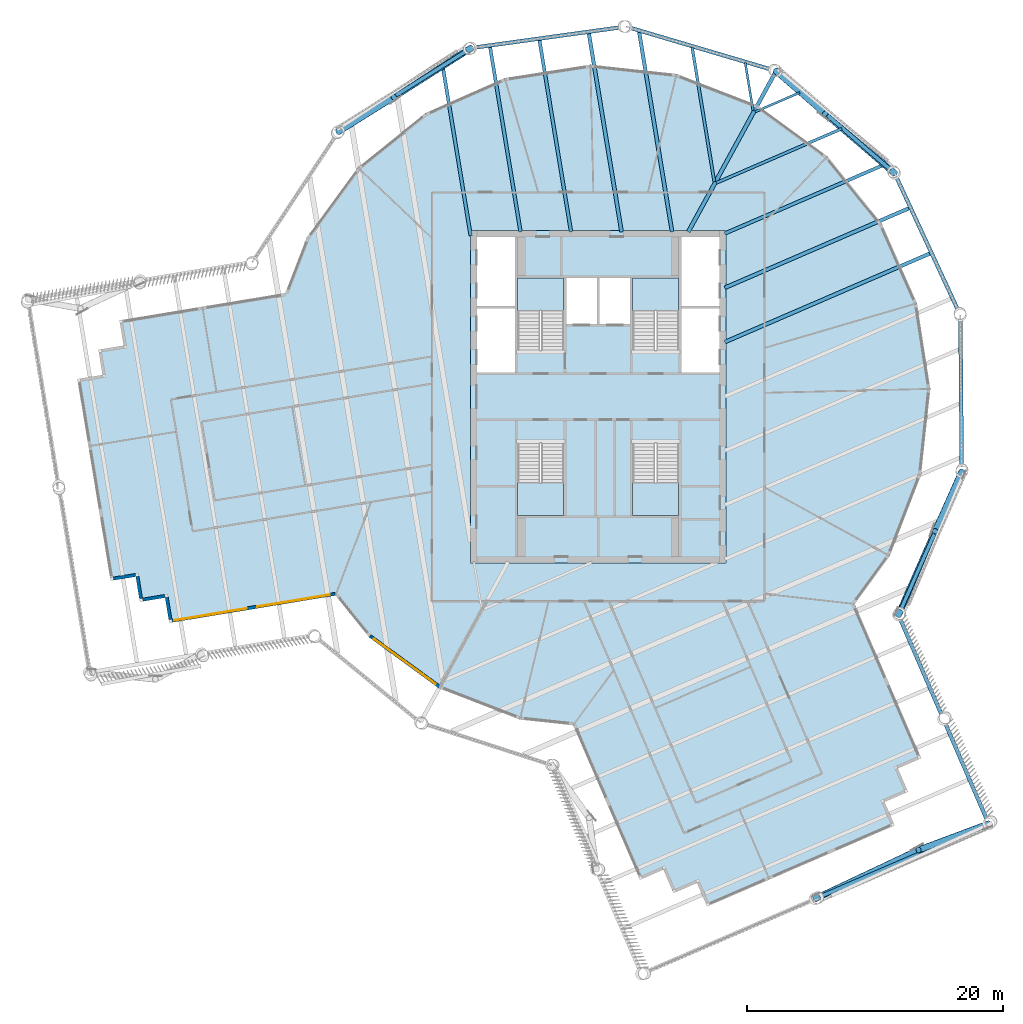
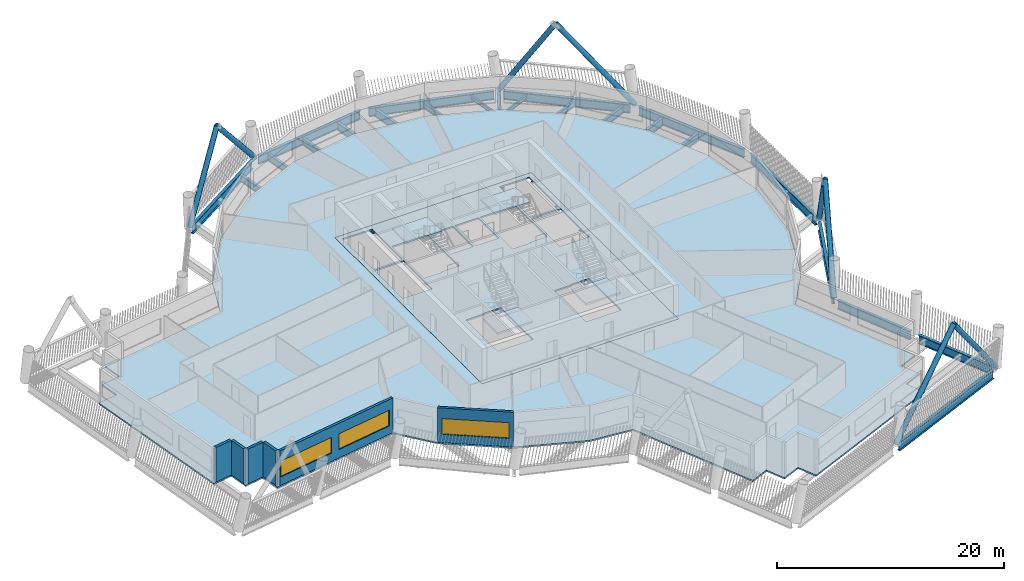
# One storey, part 2 of 23: 23 beams, 8 members, 6 slabs, 6 walls, 3 windows, 3 openings, 4 elements without a shape of their own.
"""IFC4 building model written with IfcOpenShell, lengths in metres."""

from ifc_helpers import new_model, si_unit, direction, frame, frame_2d, origin, origin_2d, place, context, subcontext, project, spatial, polyline, rectangle, hollow_circle, i_section, outline, extrude, material, layer, layer_set, material_profile, profile_set, type_object, element, fill, aggregate, save


model = new_model("IFC4")

# Units and contexts
model_context = context("Model", 3, precision=1e-05, world=origin(), true_north=direction((0.0, 1.0)))
body_context = subcontext(model_context, "Body", "Model", "MODEL_VIEW")
ifc_project = project(units=[si_unit("LENGTHUNIT", "METRE"), si_unit("AREAUNIT", "SQUARE_METRE"), si_unit("VOLUMEUNIT", "CUBIC_METRE"), si_unit("PLANEANGLEUNIT", "RADIAN"), si_unit("MASSUNIT", "GRAM", prefix="KILO")], contexts=[model_context])

# Site, building, storey
site_placement = place(None, origin())
site = spatial("IfcSite", under=ifc_project, at=site_placement, CompositionType="ELEMENT")
building_placement = place(site_placement, origin())
building = spatial("IfcBuilding", under=site, at=building_placement, Name="Tarsis Ring Headquarters", CompositionType="ELEMENT")
storey_placement = place(building_placement, frame((0.0, 0.0, 323.60009765625)))
storey = spatial("IfcBuildingStorey", under=building, at=storey_placement, Name="L76", CompositionType="ELEMENT", Elevation=323.60009765625)

# Beams
ifc_material_1 = material(Name="Structural steel S355", Category="steel")
ifc_material_profile_1 = material_profile(ifc_material_1, i_section(OverallWidth=0.177734375, OverallDepth=0.406494140625, WebThickness=0.0078125, FlangeThickness=0.0126953125, at=origin_2d()), Name="W16x40")
ifc_profile_set_1 = profile_set([ifc_material_profile_1], Name="Structural steel S355")
beam_type_1 = type_object("IfcBeamType", Name="FB Floor beam W16x40", PredefinedType="JOIST", material=ifc_profile_set_1)
beam_1_placement = place(storey_placement, frame((12.2841796875, 22.298583984375, -0.36328125), z_axis=(0.918026260496, 0.396519589731, 0.0), x_axis=(-0.396519589731, 0.918026260496, 0.0)))
element("IfcBeam", 1, at=beam_1_placement, inside=storey, type_object=beam_type_1, Name="Floor beam FB1", PredefinedType="JOIST", context=body_context, shape_type="SweptSolid", body=[
    extrude(i_section(OverallWidth=0.177734375, OverallDepth=0.406494140625, WebThickness=0.0078125, FlangeThickness=0.0126953125, at=origin_2d()), origin(), (0.0, 0.0, 1.0), 3.80517578125),
])
beam_2_placement = place(storey_placement, frame((11.50146484375, 26.142578125, -0.36328125), z_axis=(0.162640450978, -0.986685402601, 0.0), x_axis=(0.986685402601, 0.162640450978, 0.0)))
element("IfcBeam", 2, at=beam_2_placement, inside=storey, type_object=beam_type_1, Name="Floor beam FB1", PredefinedType="JOIST", context=body_context, shape_type="SweptSolid", body=[
    extrude(i_section(OverallWidth=0.177734375, OverallDepth=0.406494140625, WebThickness=0.0078125, FlangeThickness=0.0126953125, at=origin_2d()), origin(), (0.0, 0.0, 1.0), 3.805419921875),
])
ifc_material_profile_2 = material_profile(ifc_material_1, i_section(OverallWidth=0.228271484375, OverallDepth=0.607177734375, WebThickness=0.01123046875, FlangeThickness=0.017333984375, at=origin_2d()), Name="W24x76")
ifc_profile_set_2 = profile_set([ifc_material_profile_2], Name="Structural steel S355")
beam_type_2 = type_object("IfcBeamType", Name="FB Floor beam W24x76", PredefinedType="JOIST", material=ifc_profile_set_2)
beam_3_placement = place(storey_placement, frame((9.248046875, 16.739013671875, -0.463623046875), z_axis=(0.918030408794, 0.39650998541, 0.0), x_axis=(-0.39650998541, 0.918030408794, 0.0)))
element("IfcBeam", 3, at=beam_3_placement, inside=storey, type_object=beam_type_2, Name="Floor beam FB4", PredefinedType="JOIST", context=body_context, shape_type="SweptSolid", body=[
    extrude(i_section(OverallWidth=0.228271484375, OverallDepth=0.607177734375, WebThickness=0.01123046875, FlangeThickness=0.017333984375, at=origin_2d()), origin(), (0.0, 0.0, 1.0), 10.6845703125),
])
beam_4_placement = place(storey_placement, frame((7.34619140625, 27.370849609375, -0.463623046875), z_axis=(0.162642406586, -0.986685080246, 0.0), x_axis=(0.986685080246, 0.162642406586, 0.0)))
element("IfcBeam", 4, at=beam_4_placement, inside=storey, type_object=beam_type_2, Name="Floor beam FB4", PredefinedType="JOIST", context=body_context, shape_type="SweptSolid", body=[
    extrude(i_section(OverallWidth=0.228271484375, OverallDepth=0.607177734375, WebThickness=0.01123046875, FlangeThickness=0.017333984375, at=origin_2d()), origin(), (0.0, 0.0, 1.0), 10.684814453125),
])
ifc_material_profile_3 = material_profile(ifc_material_1, i_section(OverallWidth=0.2666015625, OverallDepth=0.7568359375, WebThickness=0.013916015625, FlangeThickness=0.019287109375, at=origin_2d()), Name="W30x108")
ifc_profile_set_3 = profile_set([ifc_material_profile_3], Name="Structural steel S355")
beam_type_3 = type_object("IfcBeamType", Name="FB Floor beam W30x108", PredefinedType="JOIST", material=ifc_profile_set_3)
beam_5_placement = place(storey_placement, frame((9.908203125, 12.77587890625, -0.53857421875), z_axis=(0.918027592885, 0.396516504955, 0.0), x_axis=(-0.396516504955, 0.918027592885, 0.0)))
element("IfcBeam", 5, at=beam_5_placement, inside=storey, type_object=beam_type_3, Name="Floor beam FB6", PredefinedType="JOIST", context=body_context, shape_type="SweptSolid", body=[
    extrude(i_section(OverallWidth=0.2666015625, OverallDepth=0.7568359375, WebThickness=0.013916015625, FlangeThickness=0.019287109375, at=origin_2d()), origin(), (0.0, 0.0, 1.0), 13.53759765625),
])
beam_6_placement = place(storey_placement, frame((-4.61083984375, 27.97265625, -0.53857421875), z_axis=(0.162646606802, -0.986684387885, 0.0), x_axis=(0.986684387885, 0.162646606802, 0.0)))
element("IfcBeam", 6, at=beam_6_placement, inside=storey, type_object=beam_type_3, Name="Floor beam FB6", PredefinedType="JOIST", context=body_context, shape_type="SweptSolid", body=[
    extrude(i_section(OverallWidth=0.2666015625, OverallDepth=0.7568359375, WebThickness=0.013916015625, FlangeThickness=0.019287109375, at=origin_2d()), origin(), (0.0, 0.0, 1.0), 15.274658203125),
])
beam_7_placement = place(storey_placement, frame((-8.475341796875, 27.438232421875, -0.53857421875), z_axis=(0.16264399661, -0.98668481815, 0.0), x_axis=(0.98668481815, 0.16264399661, 0.0)))
element("IfcBeam", 7, at=beam_7_placement, inside=storey, type_object=beam_type_3, Name="Floor beam FB6", PredefinedType="JOIST", context=body_context, shape_type="SweptSolid", body=[
    extrude(i_section(OverallWidth=0.2666015625, OverallDepth=0.7568359375, WebThickness=0.013916015625, FlangeThickness=0.019287109375, at=origin_2d()), origin(), (0.0, 0.0, 1.0), 14.733154296875),
])
beam_8_placement = place(storey_placement, frame((-12.162109375, 25.824951171875, -0.53857421875), z_axis=(0.162648836387, -0.986684020354, 0.0), x_axis=(0.986684020354, 0.162648836387, 0.0)))
element("IfcBeam", 8, at=beam_8_placement, inside=storey, type_object=beam_type_3, Name="Floor beam FB6", PredefinedType="JOIST", context=body_context, shape_type="SweptSolid", body=[
    extrude(i_section(OverallWidth=0.2666015625, OverallDepth=0.7568359375, WebThickness=0.013916015625, FlangeThickness=0.019287109375, at=origin_2d()), origin(), (0.0, 0.0, 1.0), 13.393798828125),
])
ifc_material_profile_4 = material_profile(ifc_material_1, i_section(OverallWidth=0.2919921875, OverallDepth=0.835693359375, WebThickness=0.013916015625, FlangeThickness=0.018798828125, at=origin_2d()), Name="W33x118")
ifc_profile_set_4 = profile_set([ifc_material_profile_4], Name="Structural steel S355")
beam_type_4 = type_object("IfcBeamType", Name="FB Floor beam W33x118", PredefinedType="JOIST", material=ifc_profile_set_4)
beam_9_placement = place(storey_placement, frame((9.908203125, 8.527587890625, -0.577880859375), z_axis=(0.918028418655, 0.396514593101, 0.0), x_axis=(-0.396514593101, 0.918028418655, 0.0)))
element("IfcBeam", 9, at=beam_9_placement, inside=storey, type_object=beam_type_4, Name="Floor beam FB7", PredefinedType="JOIST", context=body_context, shape_type="SweptSolid", body=[
    extrude(i_section(OverallWidth=0.2919921875, OverallDepth=0.835693359375, WebThickness=0.013916015625, FlangeThickness=0.018798828125, at=origin_2d()), origin(), (0.0, 0.0, 1.0), 15.771484375),
])
beam_10_placement = place(storey_placement, frame((9.908203125, 4.279541015625, -0.577880859375), z_axis=(0.918035206473, 0.39649887727, 0.0), x_axis=(-0.39649887727, 0.918035206473, 0.0)))
element("IfcBeam", 10, at=beam_10_placement, inside=storey, type_object=beam_type_4, Name="Floor beam FB7", PredefinedType="JOIST", context=body_context, shape_type="SweptSolid", body=[
    extrude(i_section(OverallWidth=0.2919921875, OverallDepth=0.835693359375, WebThickness=0.013916015625, FlangeThickness=0.018798828125, at=origin_2d()), origin(), (0.0, 0.0, 1.0), 17.55712890625),
])
beam_11_placement = place(storey_placement, frame((3.191162109375, 28.59912109375, -0.577880859375), z_axis=(0.162646853649, -0.986684347194, 0.0), x_axis=(0.986684347194, 0.162646853649, 0.0)))
element("IfcBeam", 11, at=beam_11_placement, inside=storey, type_object=beam_type_4, Name="Floor beam FB7", PredefinedType="JOIST", context=body_context, shape_type="SweptSolid", body=[
    extrude(i_section(OverallWidth=0.2919921875, OverallDepth=0.835693359375, WebThickness=0.013916015625, FlangeThickness=0.018798828125, at=origin_2d()), origin(), (0.0, 0.0, 1.0), 15.90966796875),
])
beam_12_placement = place(storey_placement, frame((-0.746337890625, 28.507080078125, -0.577880859375), z_axis=(0.162649038217, -0.986683987083, 0.0), x_axis=(0.986683987083, 0.162649038217, 0.0)))
element("IfcBeam", 12, at=beam_12_placement, inside=storey, type_object=beam_type_4, Name="Floor beam FB7", PredefinedType="JOIST", context=body_context, shape_type="SweptSolid", body=[
    extrude(i_section(OverallWidth=0.2919921875, OverallDepth=0.835693359375, WebThickness=0.013916015625, FlangeThickness=0.018798828125, at=origin_2d()), origin(), (0.0, 0.0, 1.0), 15.81640625),
])
ifc_material_profile_5 = material_profile(ifc_material_1, i_section(OverallWidth=0.309814453125, OverallDepth=0.949951171875, WebThickness=0.0244140625, FlangeThickness=0.0439453125, at=origin_2d()), Name="W36x256")
ifc_profile_set_5 = profile_set([ifc_material_profile_5], Name="Structural steel S355")
beam_type_5 = type_object("IfcBeamType", Name="FB Floor beam W36x256 spine", PredefinedType="BEAM", material=ifc_profile_set_5)
beam_13_placement = place(storey_placement, frame((13.89501953125, 25.443115234375, -0.635009765625), z_axis=(-0.479300141639, -0.877651054933, 0.0), x_axis=(0.877651054933, -0.479300141639, 0.0)))
element("IfcBeam", 13, at=beam_13_placement, inside=storey, type_object=beam_type_5, Name="Floor beam SB11", PredefinedType="BEAM", context=body_context, shape_type="SweptSolid", body=[
    extrude(i_section(OverallWidth=0.309814453125, OverallDepth=0.949951171875, WebThickness=0.0244140625, FlangeThickness=0.0439453125, at=origin_2d()), origin(), (0.0, 0.0, 1.0), 14.277587890625),
])

# Members
ifc_material_profile_6 = material_profile(ifc_material_1, hollow_circle(Radius=0.25390625, WallThickness=0.02001953125, at=origin_2d()), Name="CHS 508x20")
ifc_profile_set_6 = profile_set([ifc_material_profile_6], Name="Structural steel S355")
member_type = type_object("IfcMemberType", Name="XD X brace CHS 508x20", PredefinedType="BRACE", material=ifc_profile_set_6)
member_1_placement = place(storey_placement, frame((16.970458984375, -39.291748046875, 0.0), z_axis=(0.681921031913, 0.321746984304, 0.656858115825), x_axis=(-0.426712101409, 0.904387517888, 0.0)))
element("IfcMember", 14, at=member_1_placement, inside=storey, type_object=member_type, Name="X brace XD2", PredefinedType="BRACE", context=body_context, shape_type="SweptSolid", body=[
    extrude(hollow_circle(Radius=0.25390625, WallThickness=0.02001953125, at=origin_2d()), origin(), (0.0, 0.0, 1.0), 11.87451171875),
])
member_2_placement = place(storey_placement, frame((30.557373046875, -33.42333984375, 0.0), z_axis=(-0.562721718228, -0.209922604959, 0.799547852077), x_axis=(0.349520095253, -0.936928867639, 0.0)))
element("IfcMember", 15, at=member_2_placement, inside=storey, type_object=member_type, Name="X brace XD2", PredefinedType="BRACE", context=body_context, shape_type="SweptSolid", body=[
    extrude(hollow_circle(Radius=0.25390625, WallThickness=0.02001953125, at=origin_2d()), origin(), (0.0, 0.0, 1.0), 9.75537109375),
])
member_3_placement = place(storey_placement, frame((23.497802734375, -17.078369140625, 0.0), z_axis=(0.271598761267, 0.61903758428, 0.736903373671), x_axis=(-0.915738658598, 0.401774450592, 0.0)))
element("IfcMember", 16, at=member_3_placement, inside=storey, type_object=member_type, Name="X brace XD2", PredefinedType="BRACE", context=body_context, shape_type="SweptSolid", body=[
    extrude(hollow_circle(Radius=0.25390625, WallThickness=0.02001953125, at=origin_2d()), origin(), (0.0, 0.0, 1.0), 10.58447265625),
])
member_4_placement = place(storey_placement, frame((28.4482421875, -5.87451171875, 0.0), z_axis=(-0.222814815396, -0.499328473035, 0.837272138588), x_axis=(0.913205730986, -0.407498825636, 0.0)))
element("IfcMember", 17, at=member_4_placement, inside=storey, type_object=member_type, Name="X brace XD2", PredefinedType="BRACE", context=body_context, shape_type="SweptSolid", body=[
    extrude(hollow_circle(Radius=0.25390625, WallThickness=0.02001953125, at=origin_2d()), origin(), (0.0, 0.0, 1.0), 9.315673828125),
])
member_5_placement = place(storey_placement, frame((23.19384765625, 17.489013671875, 0.0), z_axis=(-0.512798254631, 0.440463992013, 0.73690530042), x_axis=(-0.651577818013, -0.758581799857, 0.0)))
element("IfcMember", 18, at=member_5_placement, inside=storey, type_object=member_type, Name="X brace XD2", PredefinedType="BRACE", context=body_context, shape_type="SweptSolid", body=[
    extrude(hollow_circle(Radius=0.25390625, WallThickness=0.02001953125, at=origin_2d()), origin(), (0.0, 0.0, 1.0), 10.58447265625),
])
member_6_placement = place(storey_placement, frame((13.923095703125, 25.494384765625, 0.0), z_axis=(0.41252920571, -0.358882850073, 0.837271016075), x_axis=(0.656347200069, 0.754458980304, 0.0)))
element("IfcMember", 19, at=member_6_placement, inside=storey, type_object=member_type, Name="X brace XD2", PredefinedType="BRACE", context=body_context, shape_type="SweptSolid", body=[
    extrude(hollow_circle(Radius=0.25390625, WallThickness=0.02001953125, at=origin_2d()), origin(), (0.0, 0.0, 1.0), 9.315673828125),
])
member_7_placement = place(storey_placement, frame((-9.95654296875, 27.288818359375, 0.0), z_axis=(-0.570972229424, -0.361880233798, 0.736908006207), x_axis=(0.535331301185, -0.844642171556, 0.0)))
element("IfcMember", 20, at=member_7_placement, inside=storey, type_object=member_type, Name="X brace XD2", PredefinedType="BRACE", context=body_context, shape_type="SweptSolid", body=[
    extrude(hollow_circle(Radius=0.25390625, WallThickness=0.02001953125, at=origin_2d()), origin(), (0.0, 0.0, 1.0), 10.58447265625),
])
member_8_placement = place(storey_placement, frame((-20.319580078125, 20.7587890625, 0.0), z_axis=(0.463683176854, 0.28979870964, 0.837266158037), x_axis=(-0.529994631806, 0.848000996613, 0.0)))
element("IfcMember", 21, at=member_8_placement, inside=storey, type_object=member_type, Name="X brace XD2", PredefinedType="BRACE", context=body_context, shape_type="SweptSolid", body=[
    extrude(hollow_circle(Radius=0.25390625, WallThickness=0.02001953125, at=origin_2d()), origin(), (0.0, 0.0, 1.0), 9.31591796875),
])

# Beams
ifc_material_profile_7 = material_profile(ifc_material_1, i_section(OverallWidth=0.309814453125, OverallDepth=0.93212890625, WebThickness=0.02099609375, FlangeThickness=0.034423828125, at=origin_2d()), Name="W36x210")
ifc_profile_set_7 = profile_set([ifc_material_profile_7], Name="Structural steel S355")
beam_type_6 = type_object("IfcBeamType", Name="XG Ring girder W36x210", PredefinedType="BEAM", material=ifc_profile_set_7)
beam_14_placement = place(storey_placement, frame((17.369140625, -39.11962890625, -0.46630859375), z_axis=(0.918031910143, 0.396506509352, 0.0), x_axis=(-0.396506509352, 0.918031910143, 0.0)))
element("IfcBeam", 22, at=beam_14_placement, inside=storey, type_object=beam_type_6, Name="Ring girder XG3", PredefinedType="BEAM", context=body_context, shape_type="SweptSolid", body=[
    extrude(i_section(OverallWidth=0.309814453125, OverallDepth=0.93212890625, WebThickness=0.02099609375, FlangeThickness=0.034423828125, at=origin_2d()), origin(), (0.0, 0.0, 1.0), 13.931396484375),
])
for number, where, z_axis, x_axis, name in (
    (23, (30.38525390625, -33.024658203125, -0.46630859375), (-0.396529155677, 0.918022128654, 0.0), (-0.918022128654, -0.396529155677, 0.0), "Ring girder XG3"),
    (24, (26.85546875, -24.852294921875, -0.46630859375), (-0.396518093299, 0.918026906842, 0.0), (-0.918026906842, -0.396518093299, 0.0), "Ring girder XG3"),
):
    element("IfcBeam", number, at=place(storey_placement, frame(where, z_axis=z_axis, x_axis=x_axis)), inside=storey, type_object=beam_type_6, Name=name, PredefinedType="BEAM", context=body_context, shape_type="SweptSolid", body=[
        extrude(i_section(OverallWidth=0.309814453125, OverallDepth=0.93212890625, WebThickness=0.02099609375, FlangeThickness=0.034423828125, at=origin_2d()), origin(), (0.0, 0.0, 1.0), 8.03369140625),
    ])
beam_15_placement = place(storey_placement, frame((23.67333984375, -16.68115234375, -0.46630859375), z_axis=(0.4041529956, 0.914691399406, 0.0), x_axis=(-0.914691399406, 0.4041529956, 0.0)))
element("IfcBeam", 25, at=beam_15_placement, inside=storey, type_object=beam_type_6, Name="Ring girder XG3", PredefinedType="BEAM", context=body_context, shape_type="SweptSolid", body=[
    extrude(i_section(OverallWidth=0.309814453125, OverallDepth=0.93212890625, WebThickness=0.02099609375, FlangeThickness=0.034423828125, at=origin_2d()), origin(), (0.0, 0.0, 1.0), 11.38037109375),
])
for number, where, z_axis, x_axis, name in (
    (26, (28.444580078125, -5.440185546875, -0.46630859375), (-0.008795866628, 0.999961315617, 0.0), (-0.999961315617, -0.008795866628, 0.0), "Ring girder XG3"),
    (27, (28.158203125, 6.76806640625, -0.46630859375), (-0.420204702227, 0.907429340624, 0.0), (-0.907429340624, -0.420204702227, 0.0), "Ring girder XG3"),
    (28, (22.864990234375, 17.772705078125, -0.46630859375), (-0.756866420126, 0.653569600032, 0.0), (-0.653569600032, -0.756866420126, 0.0), "Ring girder XG3"),
    (29, (13.506591796875, 25.617431640625, -0.46630859375), (-0.958971721753, 0.28350174052, 0.0), (-0.28350174052, -0.958971721753, 0.0), "Ring girder XG3"),
    (30, (1.74658203125, 28.9072265625, -0.46630859375), (-0.990574109286, -0.13697785957, 0.0), (0.13697785957, -0.990574109286, 0.0), "Ring girder XG3"),
    (31, (-10.323974609375, 27.057373046875, -0.46630859375), (-0.846046137715, -0.533109681827, 0.0), (0.533109681827, -0.846046137715, 0.0), "Ring girder XG3"),
):
    element("IfcBeam", number, at=place(storey_placement, frame(where, z_axis=z_axis, x_axis=x_axis)), inside=storey, type_object=beam_type_6, Name=name, PredefinedType="BEAM", context=body_context, shape_type="SweptSolid", body=[
        extrude(i_section(OverallWidth=0.309814453125, OverallDepth=0.93212890625, WebThickness=0.02099609375, FlangeThickness=0.034423828125, at=origin_2d()), origin(), (0.0, 0.0, 1.0), 11.380126953125),
    ])

# Slab
ifc_material_2 = material(Name="Concrete C40/50", Category="concrete")
ifc_layer_1 = layer(ifc_material_2, 0.159912109375)
ifc_layer_set_1 = layer_set([ifc_layer_1], Name="Core floor slab 160 C40/50")
slab_type_1 = type_object("IfcSlabType", Name="Core floor slab 160 C40/50", PredefinedType="FLOOR", material=ifc_layer_set_1)
slab_1_placement = place(storey_placement, frame((0.0, 0.0, -0.16015625)))
element("IfcSlab", 32, at=slab_1_placement, inside=storey, type_object=slab_type_1, Name="L76 core floor slab", PredefinedType="FLOOR", context=body_context, shape_type="SweptSolid", body=[
    extrude(outline(polyline([(-10.0, -13.0), (10.0, -13.0), (10.0, 13.0), (-10.0, 13.0), (-10.0, -13.0)]), holes=[polyline([(-2.5, 5.699951171875), (-0.10009765625, 5.699951171875), (-0.10009765625, 9.300048828125), (-2.5, 9.300048828125), (-2.5, 5.699951171875)]), polyline([(0.10009765625, 5.699951171875), (2.5, 5.699951171875), (2.5, 9.300048828125), (0.10009765625, 9.300048828125), (0.10009765625, 5.699951171875)]), polyline([(-9.5, 1.89990234375), (-6.5, 1.89990234375), (-6.5, 6.89990234375), (-9.5, 6.89990234375), (-9.5, 1.89990234375)]), polyline([(-9.5, 7.10009765625), (-6.5, 7.10009765625), (-6.5, 12.5), (-9.5, 12.5), (-9.5, 7.10009765625)]), polyline([(6.5, 1.89990234375), (9.5, 1.89990234375), (9.5, 6.89990234375), (6.5, 6.89990234375), (6.5, 1.89990234375)]), polyline([(6.5, 7.10009765625), (9.5, 7.10009765625), (9.5, 12.5), (6.5, 12.5), (6.5, 7.10009765625)]), polyline([(-2.699951171875, 3.760009765625), (-2.699951171875, 9.300048828125), (-6.300048828125, 9.300048828125), (-6.300048828125, 3.659912109375), (-4.4599609375, 3.659912109375), (-4.4599609375, 3.760009765625), (-2.699951171875, 3.760009765625)]), polyline([(6.300048828125, 3.760009765625), (6.300048828125, 9.300048828125), (2.699951171875, 9.300048828125), (2.699951171875, 3.659912109375), (4.5400390625, 3.659912109375), (4.5400390625, 3.760009765625), (6.300048828125, 3.760009765625)]), polyline([(-6.300048828125, -3.760009765625), (-6.300048828125, -9.300048828125), (-2.699951171875, -9.300048828125), (-2.699951171875, -3.659912109375), (-4.5400390625, -3.659912109375), (-4.5400390625, -3.760009765625), (-6.300048828125, -3.760009765625)]), polyline([(2.699951171875, -3.760009765625), (2.699951171875, -9.300048828125), (6.300048828125, -9.300048828125), (6.300048828125, -3.659912109375), (4.4599609375, -3.659912109375), (4.4599609375, -3.760009765625), (2.699951171875, -3.760009765625)])]), origin(), (0.0, 0.0, 1.0), 0.16015625),
])

# Stair, slab
ifc_material_3 = material(Name="Core stair 1760")
stair_type = type_object("IfcStairType", Name="Core stair 1760", PredefinedType="HALF_TURN_STAIR", material=ifc_material_3)
stair_1_placement = place(storey_placement, origin())
stair_1 = element("IfcStair", 33, at=stair_1_placement, inside=storey, type_object=stair_type, Name="L76 Firefighting stair", PredefinedType="HALF_TURN_STAIR")
ifc_layer_2 = layer(ifc_material_2, 0.199951171875)
ifc_layer_set_2 = layer_set([ifc_layer_2], Name="Core stair landing 200")
slab_type_2 = type_object("IfcSlabType", Name="Core stair landing 200", PredefinedType="LANDING", material=ifc_layer_set_2)
slab_2_placement = place(storey_placement, frame((0.0, 0.0, 1.75)))
slab_2 = element("IfcSlab", 34, at=slab_2_placement, type_object=slab_type_2, Name="Stair ST1 landing 1", PredefinedType="LANDING", context=body_context, shape_type="SweptSolid", body=[
    extrude(outline(polyline([(-2.699951171875, 6.739990234375), (-2.699951171875, 9.300048828125), (-6.300048828125, 9.300048828125), (-6.300048828125, 6.739990234375), (-2.699951171875, 6.739990234375)])), origin(), (0.0, 0.0, 1.0), 0.199951171875),
])
aggregate(stair_1, [slab_2])

stair_2_placement = place(storey_placement, origin())
stair_2 = element("IfcStair", 35, at=stair_2_placement, inside=storey, type_object=stair_type, Name="L76 Exit stair B", PredefinedType="HALF_TURN_STAIR")
slab_3_placement = place(storey_placement, frame((0.0, 0.0, 1.75)))
slab_3 = element("IfcSlab", 36, at=slab_3_placement, type_object=slab_type_2, Name="Stair ST2 landing 1", PredefinedType="LANDING", context=body_context, shape_type="SweptSolid", body=[
    extrude(outline(polyline([(6.300048828125, 6.739990234375), (6.300048828125, 9.300048828125), (2.699951171875, 9.300048828125), (2.699951171875, 6.739990234375), (6.300048828125, 6.739990234375)])), origin(), (0.0, 0.0, 1.0), 0.199951171875),
])
aggregate(stair_2, [slab_3])

stair_3_placement = place(storey_placement, origin())
stair_3 = element("IfcStair", 37, at=stair_3_placement, inside=storey, type_object=stair_type, Name="L76 Exit stair C", PredefinedType="HALF_TURN_STAIR")
slab_4_placement = place(storey_placement, frame((0.0, 0.0, 1.75)))
slab_4 = element("IfcSlab", 38, at=slab_4_placement, type_object=slab_type_2, Name="Stair ST3 landing 1", PredefinedType="LANDING", context=body_context, shape_type="SweptSolid", body=[
    extrude(outline(polyline([(-6.300048828125, -6.739990234375), (-6.300048828125, -9.300048828125), (-2.699951171875, -9.300048828125), (-2.699951171875, -6.739990234375), (-6.300048828125, -6.739990234375)])), origin(), (0.0, 0.0, 1.0), 0.199951171875),
])
aggregate(stair_3, [slab_4])

stair_4_placement = place(storey_placement, origin())
stair_4 = element("IfcStair", 39, at=stair_4_placement, inside=storey, type_object=stair_type, Name="L76 Exit stair D", PredefinedType="HALF_TURN_STAIR")
slab_5_placement = place(storey_placement, frame((0.0, 0.0, 1.75)))
slab_5 = element("IfcSlab", 40, at=slab_5_placement, type_object=slab_type_2, Name="Stair ST4 landing 1", PredefinedType="LANDING", context=body_context, shape_type="SweptSolid", body=[
    extrude(outline(polyline([(2.699951171875, -6.739990234375), (2.699951171875, -9.300048828125), (6.300048828125, -9.300048828125), (6.300048828125, -6.739990234375), (2.699951171875, -6.739990234375)])), origin(), (0.0, 0.0, 1.0), 0.199951171875),
])
aggregate(stair_4, [slab_5])

# Slab
ifc_material_4 = material(Name="Concrete C35/45", Category="concrete")
ifc_layer_3 = layer(ifc_material_4, 0.159912109375)
ifc_layer_set_3 = layer_set([ifc_layer_3], Name="FS Composite floor slab 160")
slab_type_3 = type_object("IfcSlabType", Name="FS Composite floor slab 160", PredefinedType="FLOOR", material=ifc_layer_set_3)
slab_6_placement = place(storey_placement, frame((0.0, 0.0, -0.16015625)))
element("IfcSlab", 41, at=slab_6_placement, inside=storey, type_object=slab_type_3, Name="Floor slab L76", PredefinedType="FLOOR", context=body_context, shape_type="SweptSolid", body=[
    extrude(outline(polyline([(-20.572509765625, -15.552978515625), (-17.943359375, -18.81591796875), (-12.4619140625, -22.81884765625), (-6.13134765625, -25.2666015625), (-1.96484375, -25.71484375), (3.2578125, -37.80712890625), (5.093994140625, -37.01416015625), (5.886962890625, -38.850341796875), (7.722900390625, -38.057373046875), (8.51611328125, -39.893310546875), (23.20458984375, -33.54931640625), (22.41162109375, -31.713134765625), (24.24755859375, -30.920166015625), (23.45458984375, -29.083984375), (25.29052734375, -28.291015625), (20.076171875, -16.2177734375), (22.81884765625, -12.4619140625), (25.2666015625, -6.13134765625), (25.99267578125, 0.6171875), (24.947265625, 7.323486328125), (22.20166015625, 13.53076171875), (17.943359375, 18.81591796875), (12.4619140625, 22.81884765625), (6.13134765625, 25.2666015625), (-0.6171875, 25.99267578125), (-7.323486328125, 24.947265625), (-13.53076171875, 22.20166015625), (-18.81591796875, 17.943359375), (-22.81884765625, 12.4619140625), (-24.49609375, 8.124267578125), (-37.472412109375, 5.9853515625), (-37.14697265625, 4.011962890625), (-39.120361328125, 3.686767578125), (-38.795166015625, 1.71337890625), (-40.7685546875, 1.387939453125), (-38.166259765625, -14.39892578125), (-36.19287109375, -14.07373046875), (-35.86767578125, -16.047119140625), (-33.894287109375, -15.7216796875), (-33.569091796875, -17.695068359375), (-20.572509765625, -15.552978515625)]), holes=[polyline([(-10.0, -13.0), (-10.0, 13.0), (10.0, 13.0), (10.0, -13.0), (-10.0, -13.0)])]), origin(), (0.0, 0.0, 1.0), 0.16015625),
])

# Wall, openings, windows
ifc_material_5 = material(Name="Terracotta clad insulated panel wall", Category="masonry")
ifc_layer_4 = layer(ifc_material_5, 0.25)
ifc_layer_set_4 = layer_set([ifc_layer_4], Name="Facade wall terracotta panel 250")
wall_type = type_object("IfcWallType", Name="Facade wall terracotta panel 250", PredefinedType="STANDARD", material=ifc_layer_set_4)
wall_1_placement = place(storey_placement, frame((-33.3427734375, -17.53125, 0.0), z_axis=(0.0, 0.0, 1.0), x_axis=(0.986686468746, 0.1626339829, 0.0)))
wall_1 = element("IfcWall", 42, at=wall_1_placement, inside=storey, type_object=wall_type, Name="External wall L76-01", PredefinedType="STANDARD", context=body_context, shape_type="SweptSolid", body=[
    extrude(rectangle(XDim=12.922119140625, YDim=0.25, at=frame_2d((6.4609375, 0.0))), origin(), (0.0, 0.0, 1.0), 3.739990234375),
])
opening_1_placement = place(wall_1_placement, frame((0.16796875, 0.0, 0.89990234375)))
opening_1 = element("IfcOpeningElement", 43, at=opening_1_placement, cuts=wall_1, Name="Opening WN06", PredefinedType="OPENING", context=body_context, shape_type="SweptSolid", body=[
    extrude(rectangle(XDim=5.75, YDim=1.699951171875, at=frame_2d((2.875, 0.85009765625))), frame((0.0, 0.135009765625, 0.0), z_axis=(0.0, -1.0, 0.0), x_axis=(1.0, 0.0, 0.0)), (0.0, 0.0, 1.0), 0.27001953125),
])
opening_2_placement = place(wall_1_placement, frame((6.75390625, 0.0, 0.89990234375)))
opening_2 = element("IfcOpeningElement", 44, at=opening_2_placement, cuts=wall_1, Name="Opening WN06", PredefinedType="OPENING", context=body_context, shape_type="SweptSolid", body=[
    extrude(rectangle(XDim=5.75, YDim=1.699951171875, at=frame_2d((2.875, 0.85009765625))), frame((0.0, 0.135009765625, 0.0), z_axis=(0.0, -1.0, 0.0), x_axis=(1.0, 0.0, 0.0)), (0.0, 0.0, 1.0), 0.27001953125),
])
ifc_material_6 = material(Name="Aluminium framed double glazing", Category="aluminium")
window_type_1 = type_object("IfcWindowType", Name="Facade window 5750 x 1700", PartitioningType="SINGLE_PANEL", PredefinedType="WINDOW", material=ifc_material_6)
window_1_placement = place(opening_1_placement, origin())
window_1 = element("IfcWindow", 45, at=window_1_placement, inside=storey, type_object=window_type_1, Name="Window L76-01.1", OverallHeight=1.699951171875, OverallWidth=5.75, PartitioningType="SINGLE_PANEL", PredefinedType="WINDOW", context=body_context, shape_type="SweptSolid", body=[
    extrude(rectangle(XDim=5.75, YDim=1.699951171875, at=frame_2d((2.875, 0.85009765625))), frame((0.0, 0.030029296875, 0.0), z_axis=(0.0, -1.0, 0.0), x_axis=(1.0, 0.0, 0.0)), (0.0, 0.0, 1.0), 0.06005859375),
])
fill(opening_1, window_1)
window_2_placement = place(opening_2_placement, origin())
window_2 = element("IfcWindow", 46, at=window_2_placement, inside=storey, type_object=window_type_1, Name="Window L76-01.2", OverallHeight=1.699951171875, OverallWidth=5.75, PartitioningType="SINGLE_PANEL", PredefinedType="WINDOW", context=body_context, shape_type="SweptSolid", body=[
    extrude(rectangle(XDim=5.75, YDim=1.699951171875, at=frame_2d((2.875, 0.85009765625))), frame((0.0, 0.030029296875, 0.0), z_axis=(0.0, -1.0, 0.0), x_axis=(1.0, 0.0, 0.0)), (0.0, 0.0, 1.0), 0.06005859375),
])
fill(opening_2, window_2)

# Wall, opening, window
wall_2_placement = place(storey_placement, frame((-17.843017578125, -18.734375, 0.0), z_axis=(0.0, 0.0, 1.0), x_axis=(0.807580080563, -0.589757927863, 0.0)))
wall_2 = element("IfcWall", 47, at=wall_2_placement, inside=storey, type_object=wall_type, Name="External wall L76-03", PredefinedType="STANDARD", context=body_context, shape_type="SweptSolid", body=[
    extrude(rectangle(XDim=6.7216796875, YDim=0.25, at=frame_2d((3.36083984375, 0.0))), origin(), (0.0, 0.0, 1.0), 3.739990234375),
])
opening_3_placement = place(wall_2_placement, frame((0.3857421875, 0.0, 0.89990234375)))
opening_3 = element("IfcOpeningElement", 48, at=opening_3_placement, cuts=wall_2, Name="Opening WN07", PredefinedType="OPENING", context=body_context, shape_type="SweptSolid", body=[
    extrude(rectangle(XDim=5.949951171875, YDim=1.699951171875, at=frame_2d((2.97509765625, 0.85009765625))), frame((0.0, 0.135009765625, 0.0), z_axis=(0.0, -1.0, 0.0), x_axis=(1.0, 0.0, 0.0)), (0.0, 0.0, 1.0), 0.27001953125),
])
window_type_2 = type_object("IfcWindowType", Name="Facade window 5950 x 1700", PartitioningType="SINGLE_PANEL", PredefinedType="WINDOW", material=ifc_material_6)
window_3_placement = place(opening_3_placement, origin())
window_3 = element("IfcWindow", 49, at=window_3_placement, inside=storey, type_object=window_type_2, Name="Window L76-03.1", OverallHeight=1.699951171875, OverallWidth=5.949951171875, PartitioningType="SINGLE_PANEL", PredefinedType="WINDOW", context=body_context, shape_type="SweptSolid", body=[
    extrude(rectangle(XDim=5.949951171875, YDim=1.699951171875, at=frame_2d((2.97509765625, 0.85009765625))), frame((0.0, 0.030029296875, 0.0), z_axis=(0.0, -1.0, 0.0), x_axis=(1.0, 0.0, 0.0)), (0.0, 0.0, 1.0), 0.06005859375),
])
fill(opening_3, window_3)

# Walls
for number, where, z_axis, x_axis, name in (
    (50, (-37.93994140625, -14.23486328125, 0.0), (0.0, 0.0, 1.0), (0.986701390565, 0.162543427603, 0.0), "External wall L76-37"),
    (51, (-36.069580078125, -14.053466796875, 0.0), (0.0, 0.0, 1.0), (0.162679259007, -0.986679004889, 0.0), "External wall L76-38"),
):
    element("IfcWall", number, at=place(storey_placement, frame(where, z_axis=z_axis, x_axis=x_axis)), inside=storey, type_object=wall_type, Name=name, PredefinedType="STANDARD", context=body_context, shape_type="SweptSolid", body=[
        extrude(rectangle(XDim=1.749755859375, YDim=0.25, at=frame_2d((0.875, 0.0))), origin(), (0.0, 0.0, 1.0), 3.739990234375),
    ])
for number, where, z_axis, x_axis, name in (
    (52, (-35.641357421875, -15.883056640625, 0.0), (0.0, 0.0, 1.0), (0.986682696435, 0.162656867531, 0.0), "External wall L76-39"),
    (53, (-33.77099609375, -15.701416015625, 0.0), (0.0, 0.0, 1.0), (0.162656867531, -0.986682696435, 0.0), "External wall L76-40"),
):
    element("IfcWall", number, at=place(storey_placement, frame(where, z_axis=z_axis, x_axis=x_axis)), inside=storey, type_object=wall_type, Name=name, PredefinedType="STANDARD", context=body_context, shape_type="SweptSolid", body=[
        extrude(rectangle(XDim=1.75, YDim=0.25, at=frame_2d((0.875, 0.0))), origin(), (0.0, 0.0, 1.0), 3.739990234375),
    ])

save(model, "model.ifc")
